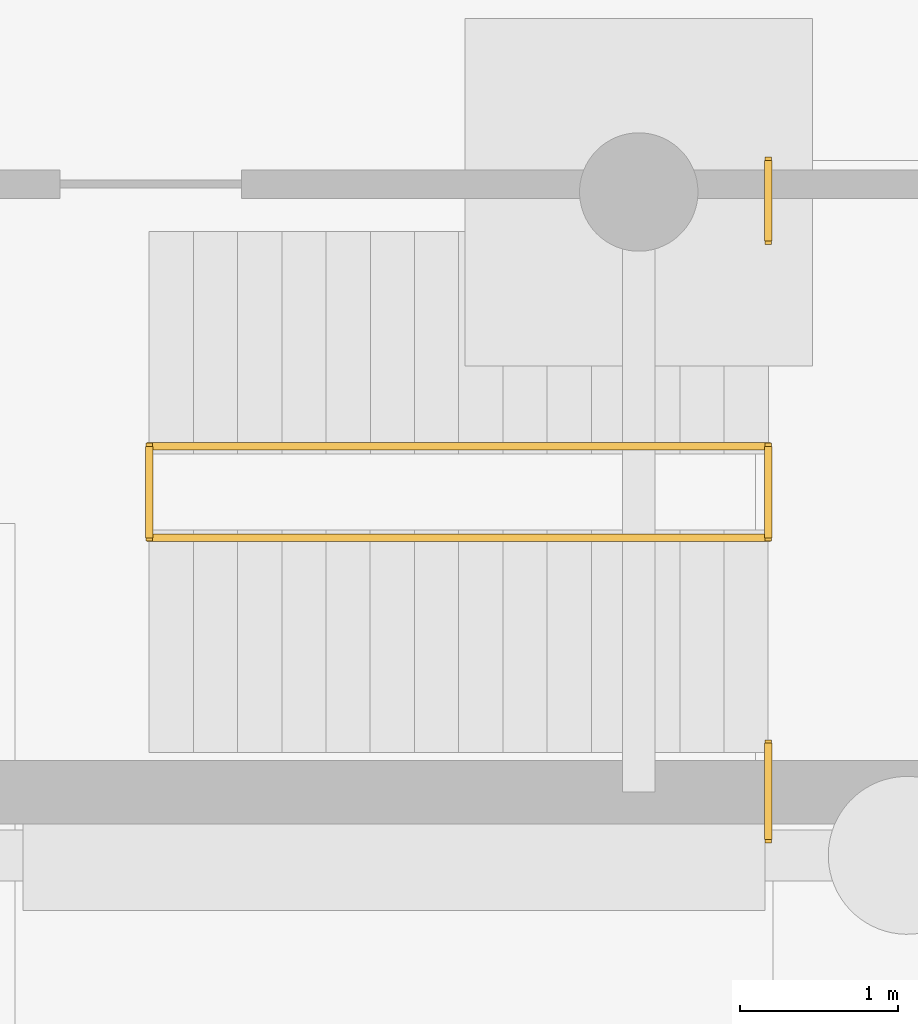
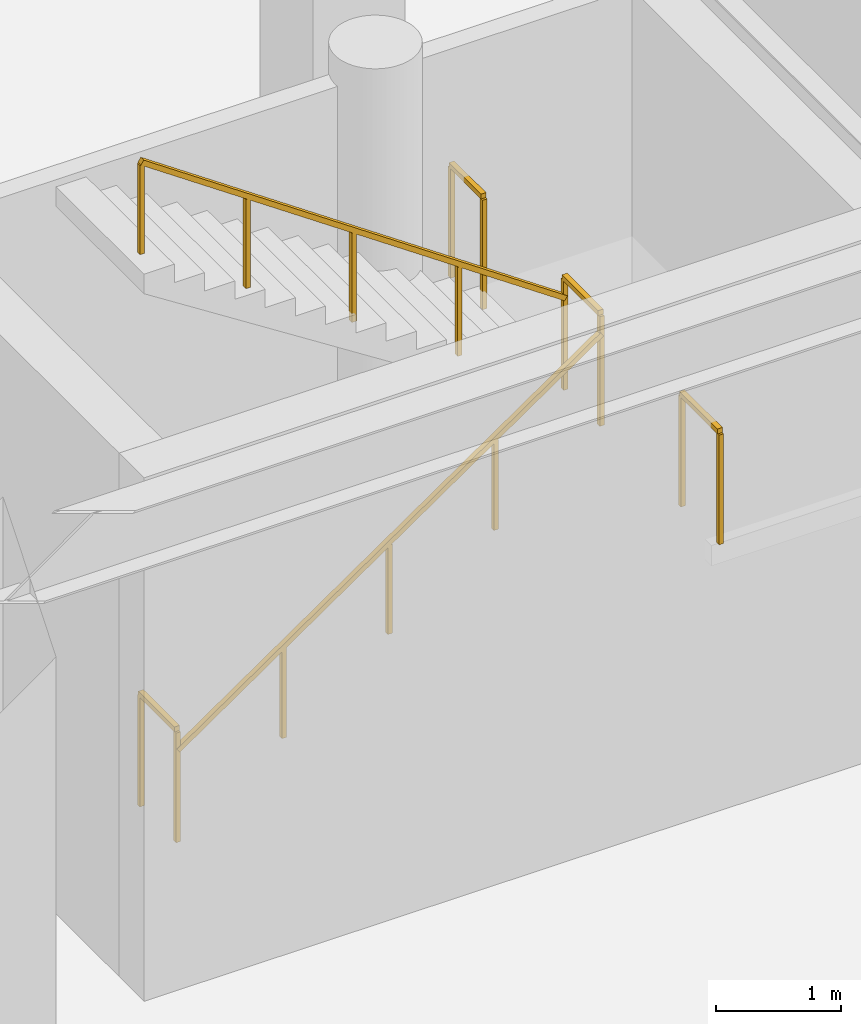
# One storey, part 20 of 22: 6 railings.
"""IFC4 building model written with IfcOpenShell, lengths in metres."""

from ifc_helpers import new_model, si_unit, direction, frame, origin, origin_2d, place, context, subcontext, project, spatial, rectangle, extrude, material, type_object, element, save


model = new_model("IFC4")

# Units and contexts
model_context = context("Model", 3, precision=1e-05, world=origin(), true_north=direction((0.0, 1.0)))
body_context = subcontext(model_context, "Body", "Model", "MODEL_VIEW")
ifc_project = project(units=[si_unit("LENGTHUNIT", "METRE"), si_unit("AREAUNIT", "SQUARE_METRE"), si_unit("VOLUMEUNIT", "CUBIC_METRE"), si_unit("PLANEANGLEUNIT", "RADIAN"), si_unit("MASSUNIT", "GRAM", prefix="KILO")], contexts=[model_context])

# Site, building, storey
site_placement = place(None, origin())
site = spatial("IfcSite", under=ifc_project, at=site_placement, CompositionType="ELEMENT")
building_placement = place(site_placement, origin())
building = spatial("IfcBuilding", under=site, at=building_placement, Name="Kazevale Care Tower and Concert Hall", CompositionType="ELEMENT")
storey_placement = place(building_placement, frame((0.0, 0.0, -5.39990234375)))
storey = spatial("IfcBuildingStorey", under=building, at=storey_placement, Name="B1", CompositionType="ELEMENT", Elevation=-5.39990234375)

# Railings
ifc_material = material(Name="Stainless Steel 316", Category="steel")
railing_type_1 = type_object("IfcRailingType", Name="Stair Pitch Handrail 920", PredefinedType="HANDRAIL", material=ifc_material)
railing_1_placement = place(storey_placement, frame((138.949951171875, 17.010009765625, 0.0)))
element("IfcRailing", 1, at=railing_1_placement, inside=storey, type_object=railing_type_1, Name="stair:B1:ST5:hr1", PredefinedType="HANDRAIL", context=body_context, shape_type="SweptSolid", body=[
    extrude(rectangle(XDim=0.048095703125, YDim=0.048095703125, at=origin_2d()), frame((0.0, 0.0, 0.89599609375), z_axis=(0.823567234665, 0.0, 0.567218661528), x_axis=(0.0, 1.0, 0.0)), (0.0, 0.0, 1.0), 4.760009765625),
    extrude(rectangle(XDim=0.0419921875, YDim=0.0419921875, at=origin_2d()), origin(), (0.0, 0.0, 1.0), 0.871826171875),
    extrude(rectangle(XDim=0.0419921875, YDim=0.0419921875, at=origin_2d()), frame((0.97998046875, 0.0, 0.675048828125)), (0.0, 0.0, 1.0), 0.871826171875),
    extrude(rectangle(XDim=0.0419921875, YDim=0.0419921875, at=origin_2d()), frame((1.9599609375, 0.0, 1.35009765625)), (0.0, 0.0, 1.0), 0.871826171875),
    extrude(rectangle(XDim=0.0419921875, YDim=0.0419921875, at=origin_2d()), frame((2.940185546875, 0.0, 2.02490234375)), (0.0, 0.0, 1.0), 0.871826171875),
    extrude(rectangle(XDim=0.0419921875, YDim=0.0419921875, at=origin_2d()), frame((3.920166015625, 0.0, 2.699951171875)), (0.0, 0.0, 1.0), 0.871826171875),
])
railing_2_placement = place(storey_placement, frame((142.8701171875, 17.590087890625, 2.699951171875)))
element("IfcRailing", 2, at=railing_2_placement, inside=storey, type_object=railing_type_1, Name="stair:B1:ST5:hr2", PredefinedType="HANDRAIL", context=body_context, shape_type="SweptSolid", body=[
    extrude(rectangle(XDim=0.048095703125, YDim=0.048095703125, at=origin_2d()), frame((0.0, 0.0, 0.89599609375), z_axis=(-0.823567234665, 0.0, 0.567218661528), x_axis=(0.0, -1.0, 0.0)), (0.0, 0.0, 1.0), 4.760009765625),
    extrude(rectangle(XDim=0.0419921875, YDim=0.0419921875, at=origin_2d()), origin(), (0.0, 0.0, 1.0), 0.871826171875),
    extrude(rectangle(XDim=0.0419921875, YDim=0.0419921875, at=origin_2d()), frame((-0.97998046875, 0.0, 0.675048828125)), (0.0, 0.0, 1.0), 0.871826171875),
    extrude(rectangle(XDim=0.0419921875, YDim=0.0419921875, at=origin_2d()), frame((-1.9599609375, 0.0, 1.35009765625)), (0.0, 0.0, 1.0), 0.871826171875),
    extrude(rectangle(XDim=0.0419921875, YDim=0.0419921875, at=origin_2d()), frame((-2.940185546875, 0.0, 2.02490234375)), (0.0, 0.0, 1.0), 0.871826171875),
    extrude(rectangle(XDim=0.0419921875, YDim=0.0419921875, at=origin_2d()), frame((-3.920166015625, 0.0, 2.699951171875)), (0.0, 0.0, 1.0), 0.871826171875),
])
railing_type_2 = type_object("IfcRailingType", Name="Stair Well Guard Balustrade 1120", PredefinedType="BALUSTRADE", material=ifc_material)
railing_3_placement = place(storey_placement, frame((142.8701171875, 15.10009765625, 2.699951171875)))
element("IfcRailing", 3, at=railing_3_placement, inside=storey, type_object=railing_type_2, Name="stair:B1:ST5:grd_side1", PredefinedType="BALUSTRADE", context=body_context, shape_type="SweptSolid", body=[
    extrude(rectangle(XDim=0.048095703125, YDim=0.048095703125, at=origin_2d()), frame((0.0, 0.0, 1.09619140625), z_axis=(0.0, 1.0, 0.0), x_axis=(-1.0, 0.0, 0.0)), (0.0, 0.0, 1.0), 0.60986328125),
    extrude(rectangle(XDim=0.0419921875, YDim=0.0419921875, at=origin_2d()), origin(), (0.0, 0.0, 1.0), 1.072021484375),
    extrude(rectangle(XDim=0.0419921875, YDim=0.0419921875, at=origin_2d()), frame((0.0, 0.60986328125, 0.0)), (0.0, 0.0, 1.0), 1.072021484375),
])
railing_4_placement = place(storey_placement, frame((142.8701171875, 18.889892578125, 2.699951171875)))
element("IfcRailing", 4, at=railing_4_placement, inside=storey, type_object=railing_type_2, Name="stair:B1:ST5:grd_side2", PredefinedType="BALUSTRADE", context=body_context, shape_type="SweptSolid", body=[
    extrude(rectangle(XDim=0.048095703125, YDim=0.048095703125, at=origin_2d()), frame((0.0, 0.0, 1.09619140625), z_axis=(0.0, 1.0, 0.0), x_axis=(-1.0, 0.0, 0.0)), (0.0, 0.0, 1.0), 0.510009765625),
    extrude(rectangle(XDim=0.0419921875, YDim=0.0419921875, at=origin_2d()), origin(), (0.0, 0.0, 1.0), 1.072021484375),
    extrude(rectangle(XDim=0.0419921875, YDim=0.0419921875, at=origin_2d()), frame((0.0, 0.510009765625, 0.0)), (0.0, 0.0, 1.0), 1.072021484375),
])
for number, where, name in (
    (5, (142.8701171875, 17.010009765625, 2.699951171875), "stair:B1:ST5:grd_mid"),
    (6, (138.949951171875, 17.010009765625, 0.0), "stair:B1:ST5:grd_flr"),
):
    element("IfcRailing", number, at=place(storey_placement, frame(where)), inside=storey, type_object=railing_type_2, Name=name, PredefinedType="BALUSTRADE", context=body_context, shape_type="SweptSolid", body=[
        extrude(rectangle(XDim=0.048095703125, YDim=0.048095703125, at=origin_2d()), frame((0.0, 0.0, 1.09619140625), z_axis=(0.0, 1.0, 0.0), x_axis=(-1.0, 0.0, 0.0)), (0.0, 0.0, 1.0), 0.580078125),
        extrude(rectangle(XDim=0.0419921875, YDim=0.0419921875, at=origin_2d()), origin(), (0.0, 0.0, 1.0), 1.072021484375),
        extrude(rectangle(XDim=0.0419921875, YDim=0.0419921875, at=origin_2d()), frame((0.0, 0.580078125, 0.0)), (0.0, 0.0, 1.0), 1.072021484375),
    ])

save(model, "model.ifc")
